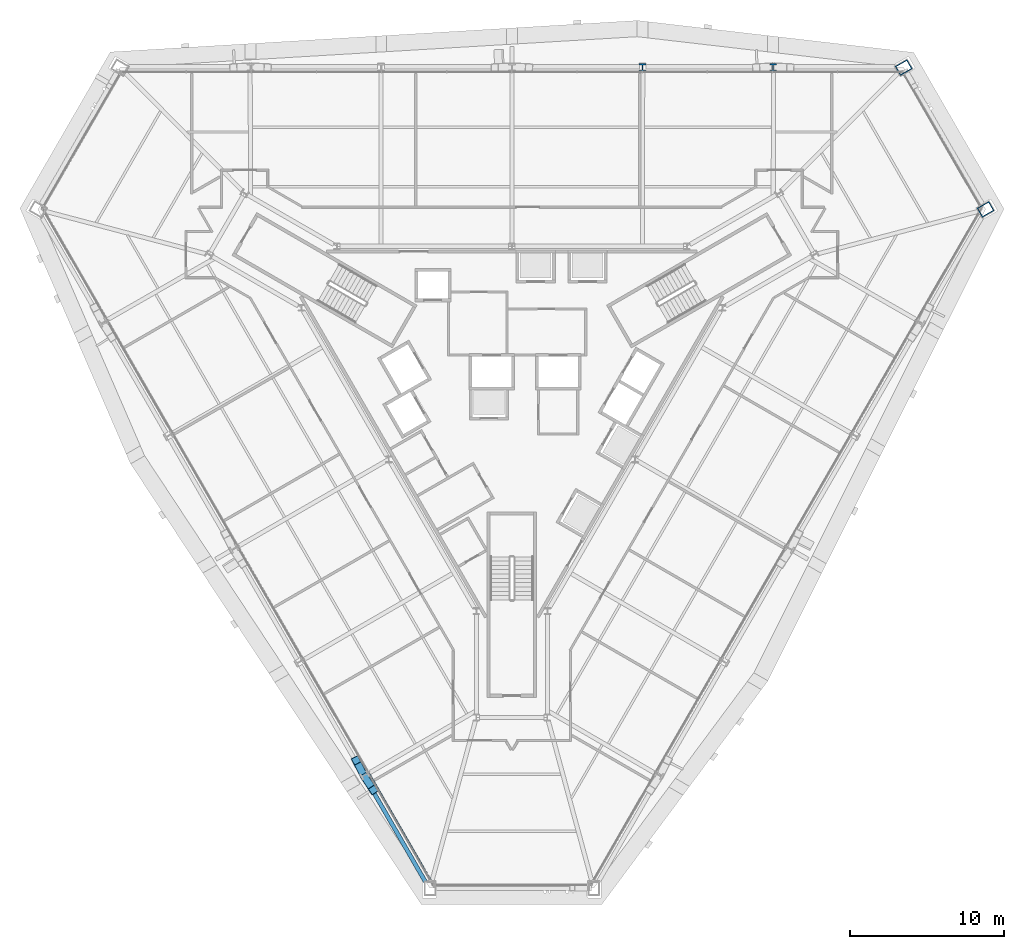
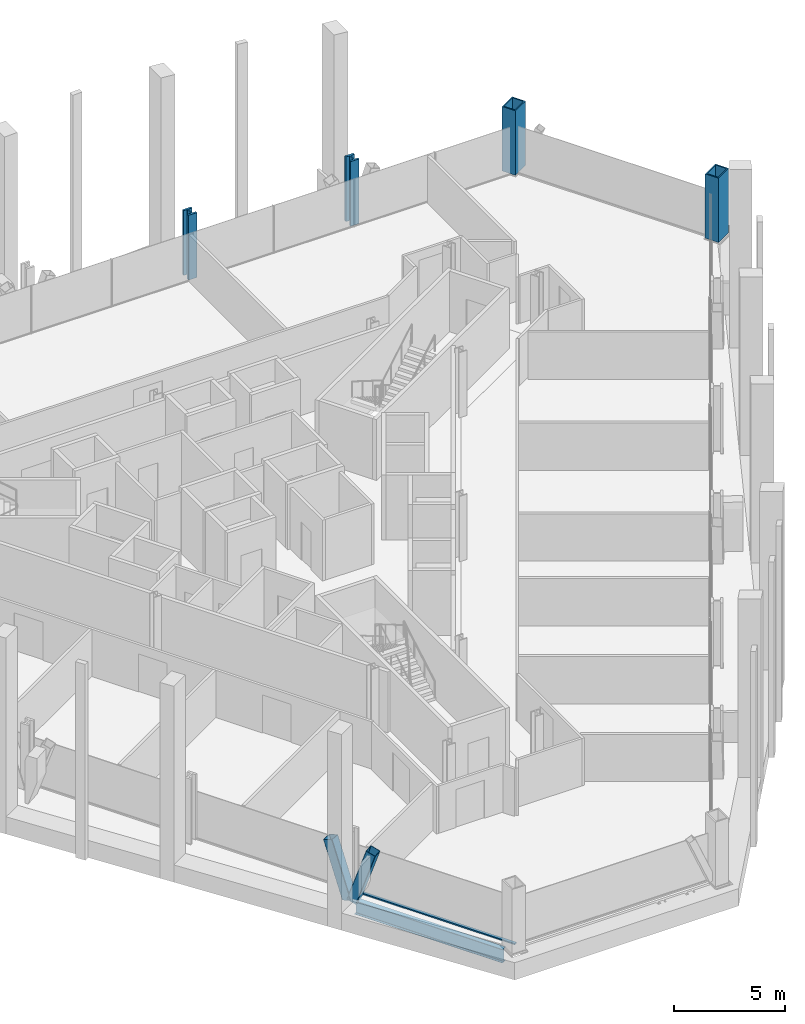
# One storey, part 2 of 16: 4 columns, 3 members, 1 beam, 1 element without a shape of its own.
"""IFC4 building model written with IfcOpenShell, lengths in metres."""

from ifc_helpers import new_model, si_unit, direction, frame, origin, origin_2d, place, context, subcontext, project, spatial, rectangle, hollow_rectangle, i_section, extrude, material, material_profile, profile_set, type_object, element, aggregate, save


model = new_model("IFC4")

# Units and contexts
model_context = context("Model", 3, precision=1e-05, world=origin(), true_north=direction((0.0, 1.0)))
body_context = subcontext(model_context, "Body", "Model", "MODEL_VIEW")
ifc_project = project(units=[si_unit("LENGTHUNIT", "METRE"), si_unit("AREAUNIT", "SQUARE_METRE"), si_unit("VOLUMEUNIT", "CUBIC_METRE"), si_unit("PLANEANGLEUNIT", "RADIAN"), si_unit("MASSUNIT", "GRAM", prefix="KILO")], contexts=[model_context])

# Site, building, storey
site_placement = place(None, origin())
site = spatial("IfcSite", under=ifc_project, at=site_placement, CompositionType="ELEMENT")
building_placement = place(site_placement, origin())
building = spatial("IfcBuilding", under=site, at=building_placement, Name="Verrane Prism Tower", CompositionType="ELEMENT")
storey_placement = place(building_placement, frame((0.0, 0.0, 36.800048828125)))
storey = spatial("IfcBuildingStorey", under=building, at=storey_placement, Name="L06", CompositionType="ELEMENT", Elevation=36.800048828125)

# Columns
ifc_material_1 = material(Name="Steel A572 Grade 50", Category="steel")
ifc_material_profile_1 = material_profile(ifc_material_1, hollow_rectangle(XDim=0.699951171875, YDim=0.89990234375, WallThickness=0.06494140625, at=origin_2d()), Name="BOX 900x700x65")
ifc_profile_set_1 = profile_set([ifc_material_profile_1], Name="Steel A572 Grade 50")
column_type_1 = type_object("IfcColumnType", Name="Megacolumn BOX 900x700x65", PredefinedType="COLUMN", material=ifc_profile_set_1)
for number, where, z_axis, x_axis, name in (
    (1, (25.3701171875, 20.77001953125, 0.044921875), (0.0, 0.0, 1.0), (0.5, -0.866025403784, 0.0), "Megacolumn MC-NE.b L06"),
    (2, (30.669921875, 11.590087890625, 0.044921875), (0.0, 0.0, 1.0), (0.5, -0.866025403784, 0.0), "Megacolumn MC-NE.a L06"),
):
    element("IfcColumn", number, at=place(storey_placement, frame(where, z_axis=z_axis, x_axis=x_axis)), inside=storey, type_object=column_type_1, Name=name, PredefinedType="COLUMN", context=body_context, shape_type="SweptSolid", body=[
        extrude(hollow_rectangle(XDim=0.699951171875, YDim=0.89990234375, WallThickness=0.06494140625, at=origin_2d()), origin(), (0.0, 0.0, 1.0), 3.554931640625),
    ])
ifc_material_2 = material(Name="Steel A992", Category="steel")
ifc_material_profile_2 = material_profile(ifc_material_2, i_section(OverallWidth=0.44189453125, OverallDepth=0.53076171875, WebThickness=0.06591796875, FlangeThickness=0.105712890625, FilletRadius=0.01513671875, at=origin_2d()), Name="W14x605")
ifc_profile_set_2 = profile_set([ifc_material_profile_2], Name="Steel A992")
column_type_2 = type_object("IfcColumnType", Name="Perimeter column W14x605", PredefinedType="COLUMN", material=ifc_profile_set_2)
column_1_placement = place(storey_placement, frame((16.919921875, 20.77001953125, 0.030029296875), z_axis=(0.0, 0.0, 1.0), x_axis=(1.0, 0.0, 0.0)))
element("IfcColumn", 3, at=column_1_placement, inside=storey, type_object=column_type_2, Name="Perimeter column PC-N1 L06", PredefinedType="COLUMN", context=body_context, shape_type="SweptSolid", body=[
    extrude(i_section(OverallWidth=0.44189453125, OverallDepth=0.53076171875, WebThickness=0.06591796875, FlangeThickness=0.105712890625, FilletRadius=0.01513671875, at=origin_2d()), origin(), (0.0, 0.0, 1.0), 3.56982421875),
])
column_2_placement = place(storey_placement, frame((8.4599609375, 20.77001953125, 0.02490234375), z_axis=(0.0, 0.0, 1.0), x_axis=(1.0, 0.0, 0.0)))
element("IfcColumn", 4, at=column_2_placement, inside=storey, type_object=column_type_2, Name="Perimeter column PC-N2 L06", PredefinedType="COLUMN", context=body_context, shape_type="SweptSolid", body=[
    extrude(i_section(OverallWidth=0.44189453125, OverallDepth=0.53076171875, WebThickness=0.06591796875, FlangeThickness=0.105712890625, FilletRadius=0.01513671875, at=origin_2d()), origin(), (0.0, 0.0, 1.0), 3.574951171875),
])

# Members
ifc_material_3 = material(Name="Steel A1085 Grade A", Category="steel")
ifc_material_profile_3 = material_profile(ifc_material_3, hollow_rectangle(XDim=0.508056640625, YDim=0.508056640625, WallThickness=0.025390625, InnerFilletRadius=0.0126953125, OuterFilletRadius=0.0380859375, at=origin_2d()), Name="HSS20x20x1")
ifc_profile_set_3 = profile_set([ifc_material_profile_3], Name="Steel A1085 Grade A")
member_type_1 = type_object("IfcMemberType", Name="Facade brace HSS20x20x1", PredefinedType="BRACE", material=ifc_profile_set_3)
member_1_placement = place(storey_placement, frame((-9.6201171875, -24.984619140625, -0.19775390625), z_axis=(-0.1479180144, 0.288588201961, 0.945958302836), x_axis=(-0.889912521453, -0.456131235678, 0.0)))
element("IfcMember", 5, at=member_1_placement, inside=storey, type_object=member_type_1, Name="Facade brace SW4 L06", PredefinedType="BRACE", context=body_context, shape_type="SweptSolid", body=[
    extrude(hollow_rectangle(XDim=0.508056640625, YDim=0.508056640625, WallThickness=0.025390625, InnerFilletRadius=0.0126953125, OuterFilletRadius=0.0380859375, at=origin_2d()), origin(), (0.0, 0.0, 1.0), 3.132568359375),
])
member_2_placement = place(storey_placement, frame((-9.505615234375, -25.182861328125, -0.19775390625), z_axis=(0.170276347027, -0.262378948337, 0.94982274826), x_axis=(0.83883778559, 0.544381455844, 0.0)))
element("IfcMember", 6, at=member_2_placement, inside=storey, type_object=member_type_1, Name="Facade brace SW5 L06", PredefinedType="BRACE", context=body_context, shape_type="SweptSolid", body=[
    extrude(hollow_rectangle(XDim=0.508056640625, YDim=0.508056640625, WallThickness=0.025390625, InnerFilletRadius=0.0126953125, OuterFilletRadius=0.0380859375, at=origin_2d()), origin(), (0.0, 0.0, 1.0), 3.119873046875),
])

# Beam
ifc_material_4 = material(Name="Steel A992", Category="steel")
ifc_material_profile_4 = material_profile(ifc_material_4, i_section(OverallWidth=0.2666015625, OverallDepth=0.7568359375, WebThickness=0.013916015625, FlangeThickness=0.019287109375, FilletRadius=0.0166015625, at=origin_2d()), Name="W30x108")
ifc_profile_set_4 = profile_set([ifc_material_profile_4], Name="Steel A992")
beam_type = type_object("IfcBeamType", Name="Spandrel beam W30x108", PredefinedType="SPANDREL", material=ifc_profile_set_4)
beam_placement = place(storey_placement, frame((-9.451171875, -25.277099609375, -0.53857421875), z_axis=(0.500304971447, -0.865849256825, 0.0), x_axis=(0.865849256825, 0.500304971447, 0.0)))
element("IfcBeam", 7, at=beam_placement, inside=storey, type_object=beam_type, Name="Spandrel beam L06", PredefinedType="SPANDREL", context=body_context, shape_type="SweptSolid", body=[
    extrude(i_section(OverallWidth=0.2666015625, OverallDepth=0.7568359375, WebThickness=0.013916015625, FlangeThickness=0.019287109375, FilletRadius=0.0166015625, at=origin_2d()), origin(), (0.0, 0.0, 1.0), 7.726806640625),
])

# Curtain wall, member
ifc_material_5 = material(Name="Aluminium framed insulated glazing", Category="aluminium")
curtain_wall_type = type_object("IfcCurtainWallType", Name="Curtain wall CW-A 8400 module", PredefinedType="NOTDEFINED", material=ifc_material_5)
curtain_wall_placement = place(storey_placement, origin())
curtain_wall = element("IfcCurtainWall", 8, at=curtain_wall_placement, inside=storey, type_object=curtain_wall_type, Name="Glazed curtain wall south-west face L06", PredefinedType="NOTDEFINED")
ifc_material_6 = material(Name="Aluminium alloy 6063-T6", Category="aluminium")
ifc_material_profile_5 = material_profile(ifc_material_6, rectangle(XDim=0.14990234375, YDim=0.070068359375, at=origin_2d()), Name="Transom 70x150 aluminium")
ifc_profile_set_5 = profile_set([ifc_material_profile_5], Name="Aluminium alloy 6063-T6")
member_type_2 = type_object("IfcMemberType", Name="Transom 70x150 aluminium", PredefinedType="USERDEFINED", material=ifc_profile_set_5)
member_3_placement = place(storey_placement, frame((-9.29443359375, -24.8837890625, 0.034912109375), z_axis=(0.500012661892, -0.866018093314, 0.0), x_axis=(0.866018093314, 0.500012661892, 0.0)))
member_3 = element("IfcMember", 9, at=member_3_placement, type_object=member_type_2, Name="CW06.4 transom 6", ObjectType="TRANSOM", PredefinedType="USERDEFINED", context=body_context, shape_type="SweptSolid", body=[
    extrude(rectangle(XDim=0.14990234375, YDim=0.070068359375, at=origin_2d()), origin(), (0.0, 0.0, 1.0), 8.398681640625),
])
aggregate(curtain_wall, [member_3])

save(model, "model.ifc")
